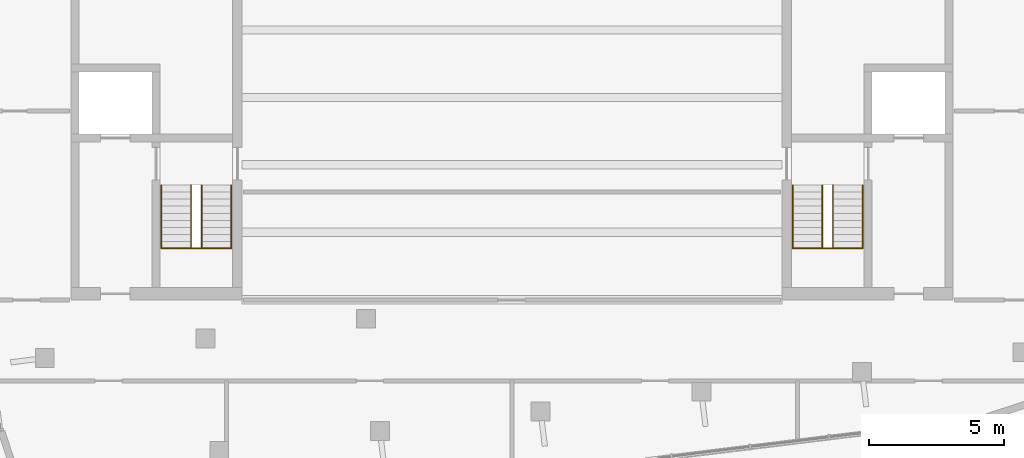
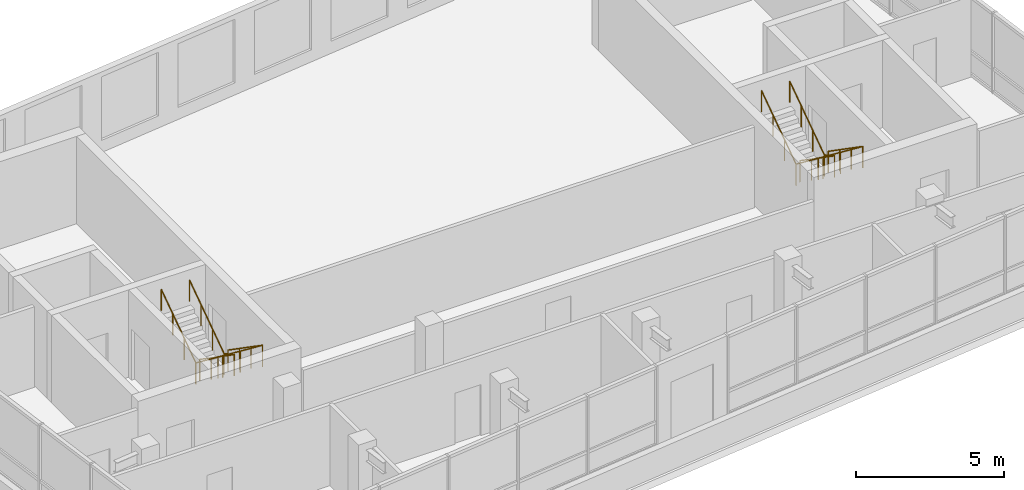
# One storey, part 8 of 8: 4 railings.
"""IFC4 building model written with IfcOpenShell, lengths in metres."""

from ifc_helpers import new_model, si_unit, direction, frame, origin, origin_2d, place, context, subcontext, project, spatial, circle, extrude, material, type_object, element, save


model = new_model("IFC4")

# Units and contexts
model_context = context("Model", 3, precision=1e-05, world=origin(), true_north=direction((0.0, 1.0)))
body_context = subcontext(model_context, "Body", "Model", "MODEL_VIEW")
ifc_project = project(units=[si_unit("LENGTHUNIT", "METRE"), si_unit("AREAUNIT", "SQUARE_METRE"), si_unit("VOLUMEUNIT", "CUBIC_METRE"), si_unit("PLANEANGLEUNIT", "RADIAN"), si_unit("MASSUNIT", "GRAM", prefix="KILO")], contexts=[model_context])

# Site, building, storey
site_placement = place(None, origin())
site = spatial("IfcSite", under=ifc_project, at=site_placement, CompositionType="ELEMENT")
building_placement = place(site_placement, origin())
building = spatial("IfcBuilding", under=site, at=building_placement, Name="Torana Hotel and Residences", CompositionType="ELEMENT")
storey_placement = place(building_placement, frame((0.0, 0.0, 350.199951171875)))
storey = spatial("IfcBuildingStorey", under=building, at=storey_placement, Name="C2", CompositionType="ELEMENT", Elevation=350.199951171875)

# Railings
ifc_material = material(Name="Stainless steel 316", Category="steel")
railing_type = type_object("IfcRailingType", Name="STAIR HANDRAIL HR1 900", PredefinedType="HANDRAIL", material=ifc_material)
railing_1_placement = place(storey_placement, frame((-10.39990234375, -10.75, 0.179931640625)))
element("IfcRailing", 1, at=railing_1_placement, inside=storey, type_object=railing_type, Name="Handrail ST1 C2 O1", PredefinedType="HANDRAIL", context=body_context, shape_type="SweptSolid", body=[
    extrude(circle(Radius=0.02392578125, at=origin_2d()), frame((0.0, 0.0, 0.8759765625), z_axis=(0.0, -0.822182927502, 0.569223360136), x_axis=(1.0, 0.0, 0.0)), (0.0, 0.0, 1.0), 2.84619140625),
    extrude(circle(Radius=0.02392578125, at=origin_2d()), frame((0.0, -2.340087890625, 2.49609375), z_axis=(-0.997614115953, 0.0, 0.069036770278), x_axis=(0.0, -1.0, 0.0)), (0.0, 0.0, 1.0), 2.606201171875),
    extrude(circle(Radius=0.02392578125, at=origin_2d()), frame((-2.60009765625, -2.340087890625, 2.67578125), z_axis=(0.0, 0.822182927502, 0.569223360136), x_axis=(-1.0, 0.0, 0.0)), (0.0, 0.0, 1.0), 2.84619140625),
    extrude(circle(Radius=0.02099609375, at=origin_2d()), origin(), (0.0, 0.0, 1.0), 0.851806640625),
    extrude(circle(Radius=0.02099609375, at=origin_2d()), frame((0.0, -0.780029296875, 0.5400390625)), (0.0, 0.0, 1.0), 0.851806640625),
    extrude(circle(Radius=0.02099609375, at=origin_2d()), frame((0.0, -1.56005859375, 1.080078125)), (0.0, 0.0, 1.0), 0.851806640625),
    extrude(circle(Radius=0.02099609375, at=origin_2d()), frame((0.0, -2.340087890625, 1.6201171875)), (0.0, 0.0, 1.0), 0.851806640625),
    extrude(circle(Radius=0.02099609375, at=origin_2d()), frame((-0.86669921875, -2.340087890625, 1.68017578125)), (0.0, 0.0, 1.0), 0.851806640625),
    extrude(circle(Radius=0.02099609375, at=origin_2d()), frame((-1.7333984375, -2.340087890625, 1.739990234375)), (0.0, 0.0, 1.0), 0.851806640625),
    extrude(circle(Radius=0.02099609375, at=origin_2d()), frame((-2.60009765625, -2.340087890625, 1.800048828125)), (0.0, 0.0, 1.0), 0.851806640625),
    extrude(circle(Radius=0.02099609375, at=origin_2d()), frame((-2.60009765625, -1.56005859375, 2.340087890625)), (0.0, 0.0, 1.0), 0.851806640625),
    extrude(circle(Radius=0.02099609375, at=origin_2d()), frame((-2.60009765625, -0.780029296875, 2.880126953125)), (0.0, 0.0, 1.0), 0.851806640625),
    extrude(circle(Radius=0.02099609375, at=origin_2d()), frame((-2.60009765625, 0.0, 3.420166015625)), (0.0, 0.0, 1.0), 0.851806640625),
])
railing_2_placement = place(storey_placement, frame((-11.5, -10.75, 0.179931640625)))
element("IfcRailing", 2, at=railing_2_placement, inside=storey, type_object=railing_type, Name="Handrail ST1 C2 I1", PredefinedType="HANDRAIL", context=body_context, shape_type="SweptSolid", body=[
    extrude(circle(Radius=0.02392578125, at=origin_2d()), frame((0.0, 0.0, 0.8759765625), z_axis=(0.0, -0.822182927502, 0.569223360136), x_axis=(1.0, 0.0, 0.0)), (0.0, 0.0, 1.0), 2.84619140625),
    extrude(circle(Radius=0.02392578125, at=origin_2d()), frame((0.0, -2.340087890625, 2.49609375), z_axis=(-0.911942338396, 0.0, 0.410318378143), x_axis=(0.0, -1.0, 0.0)), (0.0, 0.0, 1.0), 0.4384765625),
    extrude(circle(Radius=0.02392578125, at=origin_2d()), frame((-0.39990234375, -2.340087890625, 2.67578125), z_axis=(0.0, 0.822182927502, 0.569223360136), x_axis=(-1.0, 0.0, 0.0)), (0.0, 0.0, 1.0), 2.84619140625),
    extrude(circle(Radius=0.02099609375, at=origin_2d()), origin(), (0.0, 0.0, 1.0), 0.851806640625),
    extrude(circle(Radius=0.02099609375, at=origin_2d()), frame((0.0, -0.780029296875, 0.5400390625)), (0.0, 0.0, 1.0), 0.851806640625),
    extrude(circle(Radius=0.02099609375, at=origin_2d()), frame((0.0, -1.56005859375, 1.080078125)), (0.0, 0.0, 1.0), 0.851806640625),
    extrude(circle(Radius=0.02099609375, at=origin_2d()), frame((0.0, -2.340087890625, 1.6201171875)), (0.0, 0.0, 1.0), 0.851806640625),
    extrude(circle(Radius=0.02099609375, at=origin_2d()), frame((-0.39990234375, -2.340087890625, 1.800048828125)), (0.0, 0.0, 1.0), 0.851806640625),
    extrude(circle(Radius=0.02099609375, at=origin_2d()), frame((-0.39990234375, -1.56005859375, 2.340087890625)), (0.0, 0.0, 1.0), 0.851806640625),
    extrude(circle(Radius=0.02099609375, at=origin_2d()), frame((-0.39990234375, -0.780029296875, 2.880126953125)), (0.0, 0.0, 1.0), 0.851806640625),
    extrude(circle(Radius=0.02099609375, at=origin_2d()), frame((-0.39990234375, 0.0, 3.420166015625)), (0.0, 0.0, 1.0), 0.851806640625),
])
railing_3_placement = place(storey_placement, frame((13.0, -10.75, 0.179931640625)))
element("IfcRailing", 3, at=railing_3_placement, inside=storey, type_object=railing_type, Name="Handrail ST3 C2 O1", PredefinedType="HANDRAIL", context=body_context, shape_type="SweptSolid", body=[
    extrude(circle(Radius=0.02392578125, at=origin_2d()), frame((0.0, 0.0, 0.8759765625), z_axis=(0.0, -0.822182927502, 0.569223360136), x_axis=(1.0, 0.0, 0.0)), (0.0, 0.0, 1.0), 2.84619140625),
    extrude(circle(Radius=0.02392578125, at=origin_2d()), frame((0.0, -2.340087890625, 2.49609375), z_axis=(-0.997614115953, 0.0, 0.069036770278), x_axis=(0.0, -1.0, 0.0)), (0.0, 0.0, 1.0), 2.606201171875),
    extrude(circle(Radius=0.02392578125, at=origin_2d()), frame((-2.60009765625, -2.340087890625, 2.67578125), z_axis=(0.0, 0.822182927502, 0.569223360136), x_axis=(-1.0, 0.0, 0.0)), (0.0, 0.0, 1.0), 2.84619140625),
    extrude(circle(Radius=0.02099609375, at=origin_2d()), origin(), (0.0, 0.0, 1.0), 0.851806640625),
    extrude(circle(Radius=0.02099609375, at=origin_2d()), frame((0.0, -0.780029296875, 0.5400390625)), (0.0, 0.0, 1.0), 0.851806640625),
    extrude(circle(Radius=0.02099609375, at=origin_2d()), frame((0.0, -1.56005859375, 1.080078125)), (0.0, 0.0, 1.0), 0.851806640625),
    extrude(circle(Radius=0.02099609375, at=origin_2d()), frame((0.0, -2.340087890625, 1.6201171875)), (0.0, 0.0, 1.0), 0.851806640625),
    extrude(circle(Radius=0.02099609375, at=origin_2d()), frame((-0.86669921875, -2.340087890625, 1.68017578125)), (0.0, 0.0, 1.0), 0.851806640625),
    extrude(circle(Radius=0.02099609375, at=origin_2d()), frame((-1.7333984375, -2.340087890625, 1.739990234375)), (0.0, 0.0, 1.0), 0.851806640625),
    extrude(circle(Radius=0.02099609375, at=origin_2d()), frame((-2.60009765625, -2.340087890625, 1.800048828125)), (0.0, 0.0, 1.0), 0.851806640625),
    extrude(circle(Radius=0.02099609375, at=origin_2d()), frame((-2.60009765625, -1.56005859375, 2.340087890625)), (0.0, 0.0, 1.0), 0.851806640625),
    extrude(circle(Radius=0.02099609375, at=origin_2d()), frame((-2.60009765625, -0.780029296875, 2.880126953125)), (0.0, 0.0, 1.0), 0.851806640625),
    extrude(circle(Radius=0.02099609375, at=origin_2d()), frame((-2.60009765625, 0.0, 3.420166015625)), (0.0, 0.0, 1.0), 0.851806640625),
])
railing_4_placement = place(storey_placement, frame((11.89990234375, -10.75, 0.179931640625)))
element("IfcRailing", 4, at=railing_4_placement, inside=storey, type_object=railing_type, Name="Handrail ST3 C2 I1", PredefinedType="HANDRAIL", context=body_context, shape_type="SweptSolid", body=[
    extrude(circle(Radius=0.02392578125, at=origin_2d()), frame((0.0, 0.0, 0.8759765625), z_axis=(0.0, -0.822182927502, 0.569223360136), x_axis=(1.0, 0.0, 0.0)), (0.0, 0.0, 1.0), 2.84619140625),
    extrude(circle(Radius=0.02392578125, at=origin_2d()), frame((0.0, -2.340087890625, 2.49609375), z_axis=(-0.911942338396, 0.0, 0.410318378143), x_axis=(0.0, -1.0, 0.0)), (0.0, 0.0, 1.0), 0.4384765625),
    extrude(circle(Radius=0.02392578125, at=origin_2d()), frame((-0.39990234375, -2.340087890625, 2.67578125), z_axis=(0.0, 0.822182927502, 0.569223360136), x_axis=(-1.0, 0.0, 0.0)), (0.0, 0.0, 1.0), 2.84619140625),
    extrude(circle(Radius=0.02099609375, at=origin_2d()), origin(), (0.0, 0.0, 1.0), 0.851806640625),
    extrude(circle(Radius=0.02099609375, at=origin_2d()), frame((0.0, -0.780029296875, 0.5400390625)), (0.0, 0.0, 1.0), 0.851806640625),
    extrude(circle(Radius=0.02099609375, at=origin_2d()), frame((0.0, -1.56005859375, 1.080078125)), (0.0, 0.0, 1.0), 0.851806640625),
    extrude(circle(Radius=0.02099609375, at=origin_2d()), frame((0.0, -2.340087890625, 1.6201171875)), (0.0, 0.0, 1.0), 0.851806640625),
    extrude(circle(Radius=0.02099609375, at=origin_2d()), frame((-0.39990234375, -2.340087890625, 1.800048828125)), (0.0, 0.0, 1.0), 0.851806640625),
    extrude(circle(Radius=0.02099609375, at=origin_2d()), frame((-0.39990234375, -1.56005859375, 2.340087890625)), (0.0, 0.0, 1.0), 0.851806640625),
    extrude(circle(Radius=0.02099609375, at=origin_2d()), frame((-0.39990234375, -0.780029296875, 2.880126953125)), (0.0, 0.0, 1.0), 0.851806640625),
    extrude(circle(Radius=0.02099609375, at=origin_2d()), frame((-0.39990234375, 0.0, 3.420166015625)), (0.0, 0.0, 1.0), 0.851806640625),
])

save(model, "model.ifc")
